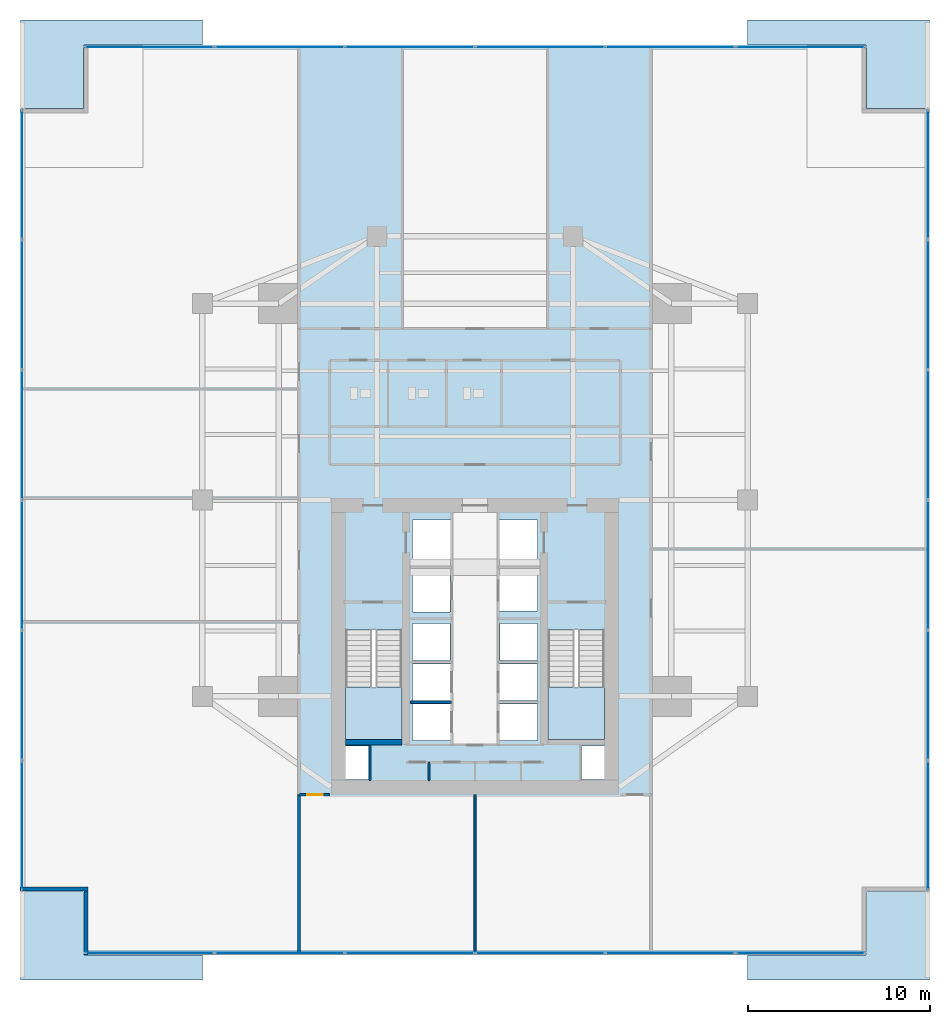
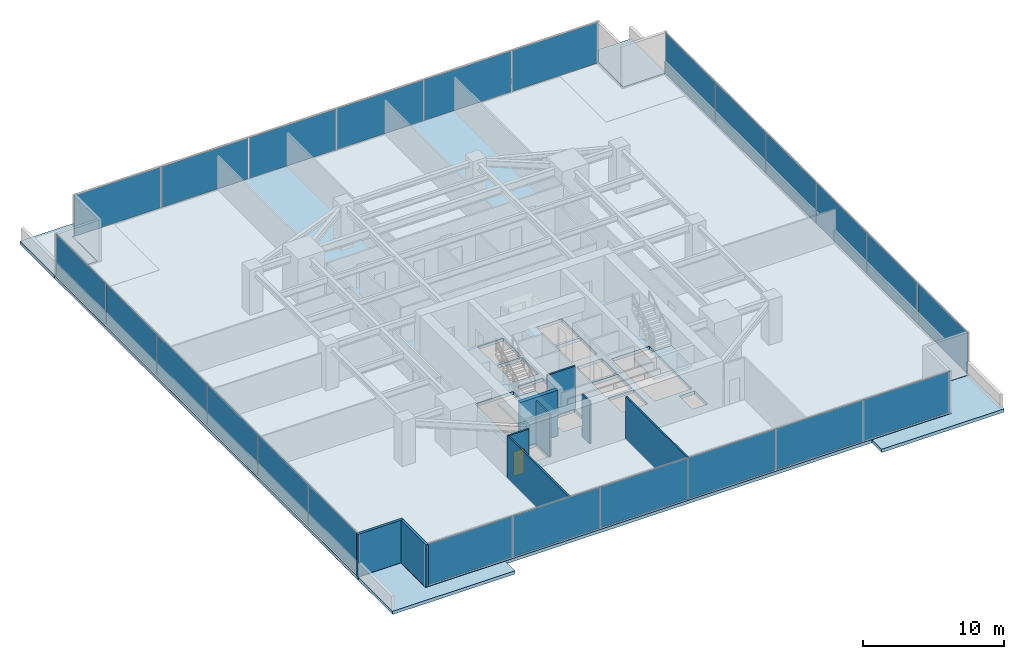
# One storey, part 24 of 30: 24 plates, 9 walls, 7 slabs, 1 door, 1 opening, 6 elements without a shape of their own.
"""IFC4 building model written with IfcOpenShell, lengths in metres."""

from ifc_helpers import new_model, si_unit, direction, frame, frame_2d, origin, origin_2d, place, context, subcontext, project, spatial, polyline, rectangle, outline, extrude, source, transform, mapped, material, layer, layer_set, type_object, type_shapes, element, fill, aggregate, save


model = new_model("IFC4")

# Units and contexts
model_context = context("Model", 3, precision=1e-05, world=origin(), true_north=direction((0.0, 1.0)))
body_context = subcontext(model_context, "Body", "Model", "MODEL_VIEW")
ifc_project = project(units=[si_unit("LENGTHUNIT", "METRE"), si_unit("AREAUNIT", "SQUARE_METRE"), si_unit("VOLUMEUNIT", "CUBIC_METRE"), si_unit("PLANEANGLEUNIT", "RADIAN"), si_unit("MASSUNIT", "GRAM", prefix="KILO")], contexts=[model_context])

# Site, building, storey
site_placement = place(None, origin())
site = spatial("IfcSite", under=ifc_project, at=site_placement, CompositionType="ELEMENT")
building_placement = place(site_placement, origin())
building = spatial("IfcBuilding", under=site, at=building_placement, Name="Krantzveldt Concourse Tower", CompositionType="ELEMENT")
storey_placement = place(building_placement, frame((0.0, 0.0, 25.0)))
storey = spatial("IfcBuildingStorey", under=building, at=storey_placement, Name="L05", CompositionType="ELEMENT", Elevation=25.0)

# Stair, slab
ifc_material_1 = material(Name="Precast concrete C40/50", Category="concrete")
stair_type = type_object("IfcStairType", Name="STR-CORE-DOGLEG", PredefinedType="HALF_TURN_STAIR", material=ifc_material_1)
stair_1_placement = place(storey_placement, origin())
stair_1 = element("IfcStair", 1, at=stair_1_placement, inside=storey, type_object=stair_type, Name="L05 Protected Escape Stair ST-1", PredefinedType="HALF_TURN_STAIR")
ifc_layer_1 = layer(ifc_material_1, 0.199951171875, Name="Precast concrete C40/50", Category="concrete")
ifc_layer_set_1 = layer_set([ifc_layer_1], Name="Precast concrete C40/50 (SL-LANDING-200)")
slab_type_1 = type_object("IfcSlabType", Name="SL-LANDING-200", PredefinedType="LANDING", material=ifc_layer_set_1)
slab_1_placement = place(storey_placement, frame((0.0, 0.0, 1.77490234375)))
slab_1 = element("IfcSlab", 2, at=slab_1_placement, type_object=slab_type_1, Name="ST-1 landing 1", PredefinedType="LANDING", context=body_context, shape_type="SweptSolid", body=[
    extrude(outline(polyline([(28.8798828125, 16.4150390625), (28.8798828125, 13.52001953125), (31.97998046875, 13.52001953125), (31.97998046875, 16.4150390625), (28.8798828125, 16.4150390625)])), origin(), (0.0, 0.0, 1.0), 0.2001953125),
])
aggregate(stair_1, [slab_1])

stair_2_placement = place(storey_placement, origin())
stair_2 = element("IfcStair", 3, at=stair_2_placement, inside=storey, type_object=stair_type, Name="L05 Protected Escape Stair ST-2", PredefinedType="HALF_TURN_STAIR")
slab_2_placement = place(storey_placement, frame((0.0, 0.0, 1.77490234375)))
slab_2 = element("IfcSlab", 4, at=slab_2_placement, type_object=slab_type_1, Name="ST-2 landing 1", PredefinedType="LANDING", context=body_context, shape_type="SweptSolid", body=[
    extrude(outline(polyline([(40.02001953125, 16.4150390625), (40.02001953125, 13.52001953125), (43.1201171875, 13.52001953125), (43.1201171875, 16.4150390625), (40.02001953125, 16.4150390625)])), origin(), (0.0, 0.0, 1.0), 0.2001953125),
])
aggregate(stair_2, [slab_2])

# Slabs
ifc_material_2 = material(Name="Concrete C40/50", Category="concrete")
ifc_layer_2 = layer(ifc_material_2, 0.280029296875, Name="Concrete C40/50", Category="concrete")
ifc_layer_set_2 = layer_set([ifc_layer_2], Name="Concrete C40/50 (SL-SL-ROOF280)")
slab_type_2 = type_object("IfcSlabType", Name="SL-SL-ROOF280", PredefinedType="ROOF", material=ifc_layer_set_2)
slab_3_placement = place(storey_placement, frame((0.0, 0.0, -0.280029296875)))
element("IfcSlab", 5, at=slab_3_placement, inside=storey, type_object=slab_type_2, Name="SL-L05-PODROOF-W1", PredefinedType="ROOF", context=body_context, shape_type="SweptSolid", body=[
    extrude(outline(polyline([(21.0, 0.300048828125), (11.0, 0.300048828125), (11.0, 5.179931640625), (14.47998046875, 5.179931640625), (14.47998046875, 1.699951171875), (14.47998046875, 1.697998046875), (14.48046875, 1.696044921875), (14.48095703125, 1.694091796875), (14.4814453125, 1.6923828125), (14.482421875, 1.690673828125), (14.4833984375, 1.68896484375), (14.484619140625, 1.687255859375), (14.48583984375, 1.685791015625), (14.4873046875, 1.6845703125), (14.48876953125, 1.683349609375), (14.490478515625, 1.682373046875), (14.492431640625, 1.681640625), (14.494140625, 1.680908203125), (14.49609375, 1.680419921875), (14.498046875, 1.68017578125), (14.5, 1.679931640625), (21.0, 1.679931640625), (21.0, 0.300048828125)])), origin(), (0.0, 0.0, 1.0), 0.280029296875),
])
slab_4_placement = place(storey_placement, frame((0.0, 0.0, -0.280029296875)))
element("IfcSlab", 6, at=slab_4_placement, inside=storey, type_object=slab_type_2, Name="SL-L05-PODROOF-W2", PredefinedType="ROOF", context=body_context, shape_type="SweptSolid", body=[
    extrude(outline(polyline([(11.0, 53.10009765625), (21.0, 53.10009765625), (21.0, 51.719970703125), (14.5, 51.719970703125), (14.498046875, 51.719970703125), (14.49609375, 51.7197265625), (14.494140625, 51.71923828125), (14.492431640625, 51.718505859375), (14.490478515625, 51.717529296875), (14.48876953125, 51.716552734375), (14.4873046875, 51.715576171875), (14.48583984375, 51.714111328125), (14.484619140625, 51.712646484375), (14.4833984375, 51.711181640625), (14.482421875, 51.70947265625), (14.4814453125, 51.707763671875), (14.48095703125, 51.705810546875), (14.48046875, 51.703857421875), (14.47998046875, 51.701904296875), (14.47998046875, 51.699951171875), (14.47998046875, 48.219970703125), (11.0, 48.219970703125), (11.0, 53.10009765625)])), origin(), (0.0, 0.0, 1.0), 0.280029296875),
])
slab_5_placement = place(storey_placement, frame((0.0, 0.0, -0.280029296875)))
element("IfcSlab", 7, at=slab_5_placement, inside=storey, type_object=slab_type_2, Name="SL-L05-PODROOF-E1", PredefinedType="ROOF", context=body_context, shape_type="SweptSolid", body=[
    extrude(outline(polyline([(61.0, 0.300048828125), (51.0, 0.300048828125), (51.0, 1.679931640625), (57.5, 1.679931640625), (57.501953125, 1.68017578125), (57.50390625, 1.680419921875), (57.505859375, 1.680908203125), (57.507568359375, 1.681640625), (57.509521484375, 1.682373046875), (57.51123046875, 1.683349609375), (57.5126953125, 1.6845703125), (57.51416015625, 1.685791015625), (57.515380859375, 1.687255859375), (57.5166015625, 1.68896484375), (57.517578125, 1.690673828125), (57.5185546875, 1.6923828125), (57.51904296875, 1.694091796875), (57.51953125, 1.696044921875), (57.52001953125, 1.697998046875), (57.52001953125, 1.699951171875), (57.52001953125, 5.179931640625), (61.0, 5.179931640625), (61.0, 0.300048828125)])), origin(), (0.0, 0.0, 1.0), 0.280029296875),
])
slab_6_placement = place(storey_placement, frame((0.0, 0.0, -0.280029296875)))
element("IfcSlab", 8, at=slab_6_placement, inside=storey, type_object=slab_type_2, Name="SL-L05-PODROOF-E2", PredefinedType="ROOF", context=body_context, shape_type="SweptSolid", body=[
    extrude(outline(polyline([(51.0, 53.10009765625), (61.0, 53.10009765625), (61.0, 48.219970703125), (57.52001953125, 48.219970703125), (57.52001953125, 51.699951171875), (57.52001953125, 51.701904296875), (57.51953125, 51.703857421875), (57.51904296875, 51.705810546875), (57.5185546875, 51.707763671875), (57.517578125, 51.70947265625), (57.5166015625, 51.711181640625), (57.515380859375, 51.712646484375), (57.51416015625, 51.714111328125), (57.5126953125, 51.715576171875), (57.51123046875, 51.716552734375), (57.509521484375, 51.717529296875), (57.507568359375, 51.718505859375), (57.505859375, 51.71923828125), (57.50390625, 51.7197265625), (57.501953125, 51.719970703125), (57.5, 51.719970703125), (51.0, 51.719970703125), (51.0, 53.10009765625)])), origin(), (0.0, 0.0, 1.0), 0.280029296875),
])
ifc_layer_3 = layer(ifc_material_2, 0.280029296875, Name="Concrete C40/50", Category="concrete")
ifc_layer_set_3 = layer_set([ifc_layer_3], Name="Concrete C40/50 (SL-SL-TWR280)")
slab_type_3 = type_object("IfcSlabType", Name="SL-SL-TWR280", PredefinedType="FLOOR", material=ifc_layer_set_3)
slab_7_placement = place(storey_placement, frame((0.0, 0.0, -0.280029296875)))
element("IfcSlab", 9, at=slab_7_placement, inside=storey, type_object=slab_type_3, Name="SL-L05-MAIN", PredefinedType="FLOOR", context=body_context, shape_type="SweptSolid", body=[
    extrude(outline(polyline([(14.5, 48.199951171875), (11.0, 48.199951171875), (11.0, 5.199951171875), (14.5, 5.199951171875), (14.5, 1.699951171875), (57.5, 1.699951171875), (57.5, 5.199951171875), (61.0, 5.199951171875), (61.0, 48.199951171875), (57.5, 48.199951171875), (57.5, 51.699951171875), (14.5, 51.699951171875), (14.5, 48.199951171875)]), holes=[polyline([(28.8798828125, 19.547607421875), (28.8798828125, 13.52001953125), (31.97998046875, 13.52001953125), (31.97998046875, 19.547607421875), (28.8798828125, 19.547607421875)]), polyline([(40.02001953125, 19.547607421875), (40.02001953125, 13.52001953125), (43.1201171875, 13.52001953125), (43.1201171875, 19.547607421875), (40.02001953125, 19.547607421875)]), polyline([(32.550048828125, 23.10009765625), (34.64990234375, 23.10009765625), (34.64990234375, 25.60009765625), (32.550048828125, 25.60009765625), (32.550048828125, 23.10009765625)]), polyline([(37.35009765625, 23.10009765625), (39.449951171875, 23.10009765625), (39.449951171875, 25.60009765625), (37.35009765625, 25.60009765625), (37.35009765625, 23.10009765625)]), polyline([(37.35009765625, 20.60009765625), (39.449951171875, 20.60009765625), (39.449951171875, 22.89990234375), (37.35009765625, 22.89990234375), (37.35009765625, 20.60009765625)]), polyline([(32.550048828125, 13.47998046875), (34.64990234375, 13.47998046875), (34.64990234375, 15.47998046875), (32.550048828125, 15.47998046875), (32.550048828125, 13.47998046875)]), polyline([(32.550048828125, 15.679931640625), (34.64990234375, 15.679931640625), (34.64990234375, 17.679931640625), (32.550048828125, 17.679931640625), (32.550048828125, 15.679931640625)]), polyline([(37.35009765625, 13.47998046875), (39.449951171875, 13.47998046875), (39.449951171875, 15.47998046875), (37.35009765625, 15.47998046875), (37.35009765625, 13.47998046875)]), polyline([(37.35009765625, 15.679931640625), (39.449951171875, 15.679931640625), (39.449951171875, 17.679931640625), (37.35009765625, 17.679931640625), (37.35009765625, 15.679931640625)]), polyline([(32.550048828125, 20.550048828125), (34.6201171875, 20.550048828125), (34.6201171875, 22.89990234375), (32.550048828125, 22.89990234375), (32.550048828125, 20.550048828125)]), polyline([(32.550048828125, 17.8798828125), (34.6201171875, 17.8798828125), (34.6201171875, 19.919921875), (32.550048828125, 19.919921875), (32.550048828125, 17.8798828125)]), polyline([(37.3798828125, 17.8798828125), (39.449951171875, 17.8798828125), (39.449951171875, 19.919921875), (37.3798828125, 19.919921875), (37.3798828125, 17.8798828125)]), polyline([(28.8798828125, 11.320068359375), (30.139892578125, 11.320068359375), (30.139892578125, 13.159912109375), (28.8798828125, 13.159912109375), (28.8798828125, 11.320068359375)]), polyline([(41.860107421875, 11.320068359375), (43.1201171875, 11.320068359375), (43.1201171875, 13.159912109375), (41.860107421875, 13.159912109375), (41.860107421875, 11.320068359375)])]), origin(), (0.0, 0.0, 1.0), 0.280029296875),
])

# Curtain wall, plates
ifc_material_3 = material(Name="Anodised aluminium 6063-T6", Category="aluminium")
curtain_wall_type = type_object("IfcCurtainWallType", Name="CW2", PredefinedType="USERDEFINED", material=ifc_material_3)
curtain_wall_1_placement = place(storey_placement, origin())
curtain_wall_1 = element("IfcCurtainWall", 10, at=curtain_wall_1_placement, inside=storey, type_object=curtain_wall_type, Name="CW-L05-F01", ObjectType="UNITISED CURTAIN WALL", PredefinedType="USERDEFINED")
ifc_material_4 = material(Name="Bronze-tinted laminated low-E IGU glass", Category="glass")
ifc_layer_4 = layer(ifc_material_4, 0.031982421875, Name="Bronze-tinted laminated low-E IGU glass", Category="glass")
ifc_layer_set_4 = layer_set([ifc_layer_4], Name="Bronze-tinted laminated low-E IGU glass (CW-GLZ-32)")
plate_type = type_object("IfcPlateType", Name="CW-GLZ-32", PredefinedType="CURTAIN_PANEL", material=ifc_layer_set_4)
shared_shape_1 = source(origin(), body_context, "Body", "SweptSolid", [
    extrude(rectangle(XDim=7.061767578125, YDim=0.031982421875, at=origin_2d()), origin(), (0.0, 0.0, 1.0), 3.530029296875),
])
plate_1_placement = place(storey_placement, frame((11.090087890625, 44.59912109375, 0.06982421875), z_axis=(0.0, 0.0, 1.0), x_axis=(0.0, -1.0, 0.0)))
plate_1 = element("IfcPlate", 11, at=plate_1_placement, type_object=plate_type, Name="CW-Z12 panel 1.1", PredefinedType="CURTAIN_PANEL", context=body_context, shape_type="MappedRepresentation", body=[
    mapped(shared_shape_1, transform((0.0, 0.0, 0.0), x_axis=(1.0, 0.0, 0.0), y_axis=(0.0, 1.0, 0.0), z_axis=(0.0, 0.0, 1.0), scale=1.0)),
])
plate_2_placement = place(storey_placement, frame((11.090087890625, 8.80078125, 0.06982421875), z_axis=(0.0, 0.0, 1.0), x_axis=(0.0, -1.0, 0.0)))
plate_2 = element("IfcPlate", 12, at=plate_2_placement, type_object=plate_type, Name="CW-Z12 panel 6.1", PredefinedType="CURTAIN_PANEL", context=body_context, shape_type="MappedRepresentation", body=[
    mapped(shared_shape_1, transform((0.0, 0.0, 0.0), x_axis=(1.0, 0.0, 0.0), y_axis=(0.0, 1.0, 0.0), z_axis=(0.0, 0.0, 1.0), scale=1.0)),
])

curtain_wall_2_placement = place(storey_placement, origin())
curtain_wall_2 = element("IfcCurtainWall", 13, at=curtain_wall_2_placement, inside=storey, type_object=curtain_wall_type, Name="CW-L05-F04", ObjectType="UNITISED CURTAIN WALL", PredefinedType="USERDEFINED")
plate_3_placement = place(storey_placement, frame((18.100830078125, 1.7900390625, 0.06982421875), z_axis=(0.0, 0.0, 1.0), x_axis=(1.0, 0.0, 0.0)))
plate_3 = element("IfcPlate", 14, at=plate_3_placement, type_object=plate_type, Name="CW-Z12 panel 1.1", PredefinedType="CURTAIN_PANEL", context=body_context, shape_type="MappedRepresentation", body=[
    mapped(shared_shape_1, transform((0.0, 0.0, 0.0), x_axis=(1.0, 0.0, 0.0), y_axis=(0.0, 1.0, 0.0), z_axis=(0.0, 0.0, 1.0), scale=1.0)),
])
plate_4_placement = place(storey_placement, frame((53.899169921875, 1.7900390625, 0.06982421875), z_axis=(0.0, 0.0, 1.0), x_axis=(1.0, 0.0, 0.0)))
plate_4 = element("IfcPlate", 15, at=plate_4_placement, type_object=plate_type, Name="CW-Z12 panel 6.1", PredefinedType="CURTAIN_PANEL", context=body_context, shape_type="MappedRepresentation", body=[
    mapped(shared_shape_1, transform((0.0, 0.0, 0.0), x_axis=(1.0, 0.0, 0.0), y_axis=(0.0, 1.0, 0.0), z_axis=(0.0, 0.0, 1.0), scale=1.0)),
])

curtain_wall_3_placement = place(storey_placement, origin())
curtain_wall_3 = element("IfcCurtainWall", 16, at=curtain_wall_3_placement, inside=storey, type_object=curtain_wall_type, Name="CW-L05-F07", ObjectType="UNITISED CURTAIN WALL", PredefinedType="USERDEFINED")
plate_5_placement = place(storey_placement, frame((60.909912109375, 8.80078125, 0.06982421875), z_axis=(0.0, 0.0, 1.0), x_axis=(0.0, 1.0, 0.0)))
plate_5 = element("IfcPlate", 17, at=plate_5_placement, type_object=plate_type, Name="CW-Z12 panel 1.1", PredefinedType="CURTAIN_PANEL", context=body_context, shape_type="MappedRepresentation", body=[
    mapped(shared_shape_1, transform((0.0, 0.0, 0.0), x_axis=(1.0, 0.0, 0.0), y_axis=(0.0, 1.0, 0.0), z_axis=(0.0, 0.0, 1.0), scale=1.0)),
])
plate_6_placement = place(storey_placement, frame((60.909912109375, 44.59912109375, 0.06982421875), z_axis=(0.0, 0.0, 1.0), x_axis=(0.0, 1.0, 0.0)))
plate_6 = element("IfcPlate", 18, at=plate_6_placement, type_object=plate_type, Name="CW-Z12 panel 6.1", PredefinedType="CURTAIN_PANEL", context=body_context, shape_type="MappedRepresentation", body=[
    mapped(shared_shape_1, transform((0.0, 0.0, 0.0), x_axis=(1.0, 0.0, 0.0), y_axis=(0.0, 1.0, 0.0), z_axis=(0.0, 0.0, 1.0), scale=1.0)),
])

curtain_wall_4_placement = place(storey_placement, origin())
curtain_wall_4 = element("IfcCurtainWall", 19, at=curtain_wall_4_placement, inside=storey, type_object=curtain_wall_type, Name="CW-L05-F10", ObjectType="UNITISED CURTAIN WALL", PredefinedType="USERDEFINED")
plate_7_placement = place(storey_placement, frame((53.899169921875, 51.610107421875, 0.06982421875), z_axis=(0.0, 0.0, 1.0), x_axis=(-1.0, 0.0, 0.0)))
plate_7 = element("IfcPlate", 20, at=plate_7_placement, type_object=plate_type, Name="CW-Z12 panel 1.1", PredefinedType="CURTAIN_PANEL", context=body_context, shape_type="MappedRepresentation", body=[
    mapped(shared_shape_1, transform((0.0, 0.0, 0.0), x_axis=(1.0, 0.0, 0.0), y_axis=(0.0, 1.0, 0.0), z_axis=(0.0, 0.0, 1.0), scale=1.0)),
])
plate_8_placement = place(storey_placement, frame((18.100830078125, 51.610107421875, 0.06982421875), z_axis=(0.0, 0.0, 1.0), x_axis=(-1.0, 0.0, 0.0)))
plate_8 = element("IfcPlate", 21, at=plate_8_placement, type_object=plate_type, Name="CW-Z12 panel 6.1", PredefinedType="CURTAIN_PANEL", context=body_context, shape_type="MappedRepresentation", body=[
    mapped(shared_shape_1, transform((0.0, 0.0, 0.0), x_axis=(1.0, 0.0, 0.0), y_axis=(0.0, 1.0, 0.0), z_axis=(0.0, 0.0, 1.0), scale=1.0)),
])

# Plate
shared_shape_2 = source(origin(), body_context, "Body", "SweptSolid", [
    extrude(rectangle(XDim=7.0966796875, YDim=0.031982421875, at=origin_2d()), origin(), (0.0, 0.0, 1.0), 3.530029296875),
])
type_shapes(plate_type, [shared_shape_1, shared_shape_2])
plate_9_placement = place(storey_placement, frame((11.090087890625, 37.449951171875, 0.06982421875), z_axis=(0.0, 0.0, 1.0), x_axis=(0.0, -1.0, 0.0)))
plate_9 = element("IfcPlate", 22, at=plate_9_placement, type_object=plate_type, Name="CW-Z12 panel 2.1", PredefinedType="CURTAIN_PANEL", context=body_context, shape_type="MappedRepresentation", body=[
    mapped(shared_shape_2, transform((0.0, 0.0, 0.0), x_axis=(1.0, 0.0, 0.0), y_axis=(0.0, 1.0, 0.0), z_axis=(0.0, 0.0, 1.0), scale=1.0)),
])

plate_10_placement = place(storey_placement, frame((11.090087890625, 30.283447265625, 0.06982421875), z_axis=(0.0, 0.0, 1.0), x_axis=(0.0, -1.0, 0.0)))
plate_10 = element("IfcPlate", 23, at=plate_10_placement, type_object=plate_type, Name="CW-Z12 panel 3.1", PredefinedType="CURTAIN_PANEL", context=body_context, shape_type="MappedRepresentation", body=[
    mapped(shared_shape_2, transform((0.0, 0.0, 0.0), x_axis=(1.0, 0.0, 0.0), y_axis=(0.0, 1.0, 0.0), z_axis=(0.0, 0.0, 1.0), scale=1.0)),
])

plate_11_placement = place(storey_placement, frame((11.090087890625, 23.11669921875, 0.06982421875), z_axis=(0.0, 0.0, 1.0), x_axis=(0.0, -1.0, 0.0)))
plate_11 = element("IfcPlate", 24, at=plate_11_placement, type_object=plate_type, Name="CW-Z12 panel 4.1", PredefinedType="CURTAIN_PANEL", context=body_context, shape_type="MappedRepresentation", body=[
    mapped(shared_shape_2, transform((0.0, 0.0, 0.0), x_axis=(1.0, 0.0, 0.0), y_axis=(0.0, 1.0, 0.0), z_axis=(0.0, 0.0, 1.0), scale=1.0)),
])

plate_12_placement = place(storey_placement, frame((11.090087890625, 15.949951171875, 0.06982421875), z_axis=(0.0, 0.0, 1.0), x_axis=(0.0, -1.0, 0.0)))
plate_12 = element("IfcPlate", 25, at=plate_12_placement, type_object=plate_type, Name="CW-Z12 panel 5.1", PredefinedType="CURTAIN_PANEL", context=body_context, shape_type="MappedRepresentation", body=[
    mapped(shared_shape_2, transform((0.0, 0.0, 0.0), x_axis=(1.0, 0.0, 0.0), y_axis=(0.0, 1.0, 0.0), z_axis=(0.0, 0.0, 1.0), scale=1.0)),
])

aggregate(curtain_wall_1, [plate_1, plate_9, plate_10, plate_11, plate_12, plate_2])

plate_13_placement = place(storey_placement, frame((25.25, 1.7900390625, 0.06982421875), z_axis=(0.0, 0.0, 1.0), x_axis=(1.0, 0.0, 0.0)))
plate_13 = element("IfcPlate", 26, at=plate_13_placement, type_object=plate_type, Name="CW-Z12 panel 2.1", PredefinedType="CURTAIN_PANEL", context=body_context, shape_type="MappedRepresentation", body=[
    mapped(shared_shape_2, transform((0.0, 0.0, 0.0), x_axis=(1.0, 0.0, 0.0), y_axis=(0.0, 1.0, 0.0), z_axis=(0.0, 0.0, 1.0), scale=1.0)),
])

plate_14_placement = place(storey_placement, frame((32.416748046875, 1.7900390625, 0.06982421875), z_axis=(0.0, 0.0, 1.0), x_axis=(1.0, 0.0, 0.0)))
plate_14 = element("IfcPlate", 27, at=plate_14_placement, type_object=plate_type, Name="CW-Z12 panel 3.1", PredefinedType="CURTAIN_PANEL", context=body_context, shape_type="MappedRepresentation", body=[
    mapped(shared_shape_2, transform((0.0, 0.0, 0.0), x_axis=(1.0, 0.0, 0.0), y_axis=(0.0, 1.0, 0.0), z_axis=(0.0, 0.0, 1.0), scale=1.0)),
])

plate_15_placement = place(storey_placement, frame((39.583251953125, 1.7900390625, 0.06982421875), z_axis=(0.0, 0.0, 1.0), x_axis=(1.0, 0.0, 0.0)))
plate_15 = element("IfcPlate", 28, at=plate_15_placement, type_object=plate_type, Name="CW-Z12 panel 4.1", PredefinedType="CURTAIN_PANEL", context=body_context, shape_type="MappedRepresentation", body=[
    mapped(shared_shape_2, transform((0.0, 0.0, 0.0), x_axis=(1.0, 0.0, 0.0), y_axis=(0.0, 1.0, 0.0), z_axis=(0.0, 0.0, 1.0), scale=1.0)),
])

plate_16_placement = place(storey_placement, frame((46.75, 1.7900390625, 0.06982421875), z_axis=(0.0, 0.0, 1.0), x_axis=(1.0, 0.0, 0.0)))
plate_16 = element("IfcPlate", 29, at=plate_16_placement, type_object=plate_type, Name="CW-Z12 panel 5.1", PredefinedType="CURTAIN_PANEL", context=body_context, shape_type="MappedRepresentation", body=[
    mapped(shared_shape_2, transform((0.0, 0.0, 0.0), x_axis=(1.0, 0.0, 0.0), y_axis=(0.0, 1.0, 0.0), z_axis=(0.0, 0.0, 1.0), scale=1.0)),
])

aggregate(curtain_wall_2, [plate_3, plate_13, plate_14, plate_15, plate_16, plate_4])

plate_17_placement = place(storey_placement, frame((60.909912109375, 15.949951171875, 0.06982421875), z_axis=(0.0, 0.0, 1.0), x_axis=(0.0, 1.0, 0.0)))
plate_17 = element("IfcPlate", 30, at=plate_17_placement, type_object=plate_type, Name="CW-Z12 panel 2.1", PredefinedType="CURTAIN_PANEL", context=body_context, shape_type="MappedRepresentation", body=[
    mapped(shared_shape_2, transform((0.0, 0.0, 0.0), x_axis=(1.0, 0.0, 0.0), y_axis=(0.0, 1.0, 0.0), z_axis=(0.0, 0.0, 1.0), scale=1.0)),
])

plate_18_placement = place(storey_placement, frame((60.909912109375, 23.11669921875, 0.06982421875), z_axis=(0.0, 0.0, 1.0), x_axis=(0.0, 1.0, 0.0)))
plate_18 = element("IfcPlate", 31, at=plate_18_placement, type_object=plate_type, Name="CW-Z12 panel 3.1", PredefinedType="CURTAIN_PANEL", context=body_context, shape_type="MappedRepresentation", body=[
    mapped(shared_shape_2, transform((0.0, 0.0, 0.0), x_axis=(1.0, 0.0, 0.0), y_axis=(0.0, 1.0, 0.0), z_axis=(0.0, 0.0, 1.0), scale=1.0)),
])

plate_19_placement = place(storey_placement, frame((60.909912109375, 30.283447265625, 0.06982421875), z_axis=(0.0, 0.0, 1.0), x_axis=(0.0, 1.0, 0.0)))
plate_19 = element("IfcPlate", 32, at=plate_19_placement, type_object=plate_type, Name="CW-Z12 panel 4.1", PredefinedType="CURTAIN_PANEL", context=body_context, shape_type="MappedRepresentation", body=[
    mapped(shared_shape_2, transform((0.0, 0.0, 0.0), x_axis=(1.0, 0.0, 0.0), y_axis=(0.0, 1.0, 0.0), z_axis=(0.0, 0.0, 1.0), scale=1.0)),
])

plate_20_placement = place(storey_placement, frame((60.909912109375, 37.449951171875, 0.06982421875), z_axis=(0.0, 0.0, 1.0), x_axis=(0.0, 1.0, 0.0)))
plate_20 = element("IfcPlate", 33, at=plate_20_placement, type_object=plate_type, Name="CW-Z12 panel 5.1", PredefinedType="CURTAIN_PANEL", context=body_context, shape_type="MappedRepresentation", body=[
    mapped(shared_shape_2, transform((0.0, 0.0, 0.0), x_axis=(1.0, 0.0, 0.0), y_axis=(0.0, 1.0, 0.0), z_axis=(0.0, 0.0, 1.0), scale=1.0)),
])

aggregate(curtain_wall_3, [plate_5, plate_17, plate_18, plate_19, plate_20, plate_6])

plate_21_placement = place(storey_placement, frame((46.75, 51.610107421875, 0.06982421875), z_axis=(0.0, 0.0, 1.0), x_axis=(-1.0, 0.0, 0.0)))
plate_21 = element("IfcPlate", 34, at=plate_21_placement, type_object=plate_type, Name="CW-Z12 panel 2.1", PredefinedType="CURTAIN_PANEL", context=body_context, shape_type="MappedRepresentation", body=[
    mapped(shared_shape_2, transform((0.0, 0.0, 0.0), x_axis=(1.0, 0.0, 0.0), y_axis=(0.0, 1.0, 0.0), z_axis=(0.0, 0.0, 1.0), scale=1.0)),
])

plate_22_placement = place(storey_placement, frame((39.583251953125, 51.610107421875, 0.06982421875), z_axis=(0.0, 0.0, 1.0), x_axis=(-1.0, 0.0, 0.0)))
plate_22 = element("IfcPlate", 35, at=plate_22_placement, type_object=plate_type, Name="CW-Z12 panel 3.1", PredefinedType="CURTAIN_PANEL", context=body_context, shape_type="MappedRepresentation", body=[
    mapped(shared_shape_2, transform((0.0, 0.0, 0.0), x_axis=(1.0, 0.0, 0.0), y_axis=(0.0, 1.0, 0.0), z_axis=(0.0, 0.0, 1.0), scale=1.0)),
])

plate_23_placement = place(storey_placement, frame((32.416748046875, 51.610107421875, 0.06982421875), z_axis=(0.0, 0.0, 1.0), x_axis=(-1.0, 0.0, 0.0)))
plate_23 = element("IfcPlate", 36, at=plate_23_placement, type_object=plate_type, Name="CW-Z12 panel 4.1", PredefinedType="CURTAIN_PANEL", context=body_context, shape_type="MappedRepresentation", body=[
    mapped(shared_shape_2, transform((0.0, 0.0, 0.0), x_axis=(1.0, 0.0, 0.0), y_axis=(0.0, 1.0, 0.0), z_axis=(0.0, 0.0, 1.0), scale=1.0)),
])

plate_24_placement = place(storey_placement, frame((25.25, 51.610107421875, 0.06982421875), z_axis=(0.0, 0.0, 1.0), x_axis=(-1.0, 0.0, 0.0)))
plate_24 = element("IfcPlate", 37, at=plate_24_placement, type_object=plate_type, Name="CW-Z12 panel 5.1", PredefinedType="CURTAIN_PANEL", context=body_context, shape_type="MappedRepresentation", body=[
    mapped(shared_shape_2, transform((0.0, 0.0, 0.0), x_axis=(1.0, 0.0, 0.0), y_axis=(0.0, 1.0, 0.0), z_axis=(0.0, 0.0, 1.0), scale=1.0)),
])

aggregate(curtain_wall_4, [plate_7, plate_21, plate_22, plate_23, plate_24, plate_8])

# Walls
ifc_layer_5 = layer(ifc_material_3, 0.219970703125, Name="Anodised aluminium 6063-T6", Category="aluminium")
ifc_layer_set_5 = layer_set([ifc_layer_5], Name="Anodised aluminium 6063-T6 (WL-EXT-NOTCH220)")
wall_type_1 = type_object("IfcWallType", Name="WL-EXT-NOTCH220", PredefinedType="ELEMENTEDWALL", material=ifc_layer_set_5)
wall_1_placement = place(storey_placement, frame((10.97509765625, 5.31005859375, 0.0), z_axis=(0.0, 0.0, 1.0), x_axis=(1.0, 0.0, 0.0)))
element("IfcWall", 38, at=wall_1_placement, inside=storey, type_object=wall_type_1, Name="EW-L05-NCH02", PredefinedType="ELEMENTEDWALL", context=body_context, shape_type="SweptSolid", body=[
    extrude(rectangle(XDim=3.744873046875, YDim=0.219970703125, at=frame_2d((1.87255859375, 0.0))), origin(), (0.0, 0.0, 1.0), 3.669921875),
])
wall_2_placement = place(storey_placement, frame((14.610107421875, 5.199951171875, 0.0), z_axis=(0.0, 0.0, 1.0), x_axis=(0.0, -1.0, 0.0)))
element("IfcWall", 39, at=wall_2_placement, inside=storey, type_object=wall_type_1, Name="EW-L05-NCH03", PredefinedType="ELEMENTEDWALL", context=body_context, shape_type="SweptSolid", body=[
    extrude(rectangle(XDim=3.52490234375, YDim=0.219970703125, at=frame_2d((1.762451171875, 0.0))), origin(), (0.0, 0.0, 1.0), 3.669921875),
])
ifc_material_5 = material(Name="Fire-rated gypsum plasterboard on steel stud", Category="steel")
ifc_layer_6 = layer(ifc_material_5, 0.1201171875, Name="Fire-rated gypsum plasterboard on steel stud", Category="steel")
ifc_layer_set_6 = layer_set([ifc_layer_6], Name="Fire-rated gypsum plasterboard on steel stud (WL-PART-120)")
wall_type_2 = type_object("IfcWallType", Name="WL-PART-120", PredefinedType="PARTITIONING", material=ifc_layer_set_6)
wall_3_placement = place(storey_placement, frame((33.469970703125, 11.25, 0.0), z_axis=(0.0, 0.0, 1.0), x_axis=(0.0, 1.0, 0.0)))
element("IfcWall", 40, at=wall_3_placement, inside=storey, type_object=wall_type_2, Name="WP-L05-CSD-V1", PredefinedType="PARTITIONING", context=body_context, shape_type="SweptSolid", body=[
    extrude(rectangle(XDim=1.030029296875, YDim=0.1201171875, at=frame_2d((0.51513671875, 0.0))), origin(), (0.0, 0.0, 1.0), 3.669921875),
])
wall_4_placement = place(storey_placement, frame((36.0, 1.7900390625, 0.0), z_axis=(0.0, 0.0, 1.0), x_axis=(0.0, 1.0, 0.0)))
element("IfcWall", 41, at=wall_4_placement, inside=storey, type_object=wall_type_2, Name="WP-L05-SMD", PredefinedType="PARTITIONING", context=body_context, shape_type="SweptSolid", body=[
    extrude(rectangle(XDim=8.7099609375, YDim=0.1201171875, at=frame_2d((4.35498046875, 0.0))), origin(), (0.0, 0.0, 1.0), 3.669921875),
])

# Wall, opening, door
ifc_layer_7 = layer(ifc_material_5, 0.139892578125, Name="Fire-rated gypsum plasterboard on steel stud", Category="steel")
ifc_layer_set_7 = layer_set([ifc_layer_7], Name="Fire-rated gypsum plasterboard on steel stud (WL-PART-140)")
wall_type_3 = type_object("IfcWallType", Name="WL-PART-140", PredefinedType="PARTITIONING", material=ifc_layer_set_7)
wall_5_placement = place(storey_placement, frame((26.320068359375, 10.5, 0.0), z_axis=(0.0, 0.0, 1.0), x_axis=(1.0, 0.0, 0.0)))
wall_5 = element("IfcWall", 42, at=wall_5_placement, inside=storey, type_object=wall_type_3, Name="WP-L05-CWBOT", PredefinedType="PARTITIONING", context=body_context, shape_type="SweptSolid", body=[
    extrude(rectangle(XDim=1.679931640625, YDim=0.139892578125, at=frame_2d((0.83984375, 0.0))), origin(), (0.0, 0.0, 1.0), 3.669921875),
])
opening_placement = place(wall_5_placement, frame((0.445068359375, 0.0, 0.0)))
opening = element("IfcOpeningElement", 43, at=opening_placement, cuts=wall_5, Name="Opening D-IN085", PredefinedType="OPENING", context=body_context, shape_type="SweptSolid", body=[
    extrude(rectangle(XDim=0.85009765625, YDim=2.10009765625, at=frame_2d((0.425048828125, 1.050048828125))), frame((0.0, 0.080078125, 0.0), z_axis=(0.0, -1.0, 0.0), x_axis=(1.0, 0.0, 0.0)), (0.0, 0.0, 1.0), 0.159912109375),
])
ifc_material_6 = material(Name="Hardwood timber", Category="wood")
door_type = type_object("IfcDoorType", Name="DR-INT-850", OperationType="SINGLE_SWING_LEFT", PredefinedType="DOOR", material=ifc_material_6)
door_placement = place(opening_placement, origin())
door = element("IfcDoor", 44, at=door_placement, inside=storey, type_object=door_type, Name="DR-L05-SR1", OperationType="SINGLE_SWING_LEFT", OverallHeight=2.10009765625, OverallWidth=0.85009765625, PredefinedType="DOOR", context=body_context, shape_type="SweptSolid", body=[
    extrude(rectangle(XDim=0.85009765625, YDim=2.10009765625, at=frame_2d((0.425048828125, 1.050048828125))), frame((0.0, 0.02490234375, 0.0), z_axis=(0.0, -1.0, 0.0), x_axis=(1.0, 0.0, 0.0)), (0.0, 0.0, 1.0), 0.050048828125),
])
fill(opening, door)

# Walls
wall_6_placement = place(storey_placement, frame((26.320068359375, 1.7900390625, 0.0), z_axis=(0.0, 0.0, 1.0), x_axis=(0.0, 1.0, 0.0)))
element("IfcWall", 45, at=wall_6_placement, inside=storey, type_object=wall_type_3, Name="WP-L05-SWL", PredefinedType="PARTITIONING", context=body_context, shape_type="SweptSolid", body=[
    extrude(rectangle(XDim=8.7099609375, YDim=0.139892578125, at=frame_2d((4.35498046875, 0.0))), origin(), (0.0, 0.0, 1.0), 3.669921875),
])
ifc_layer_8 = layer(ifc_material_5, 0.139892578125, Name="Fire-rated gypsum plasterboard on steel stud", Category="steel")
ifc_layer_set_8 = layer_set([ifc_layer_8], Name="Fire-rated gypsum plasterboard on steel stud (WL-PART-FR140)")
wall_type_4 = type_object("IfcWallType", Name="WL-PART-FR140", PredefinedType="PARTITIONING", material=ifc_layer_set_8)
wall_7_placement = place(storey_placement, frame((32.449951171875, 15.580078125, 0.0), z_axis=(0.0, 0.0, 1.0), x_axis=(1.0, 0.0, 0.0)))
element("IfcWall", 46, at=wall_7_placement, inside=storey, type_object=wall_type_4, Name="WP-L05-DIVW1", PredefinedType="PARTITIONING", context=body_context, shape_type="SweptSolid", body=[
    extrude(rectangle(XDim=2.27001953125, YDim=0.139892578125, at=frame_2d((1.135009765625, 0.0))), origin(), (0.0, 0.0, 1.0), 3.669921875),
])
wall_8_placement = place(storey_placement, frame((30.219970703125, 11.25, 0.0), z_axis=(0.0, 0.0, 1.0), x_axis=(0.0, 1.0, 0.0)))
element("IfcWall", 47, at=wall_8_placement, inside=storey, type_object=wall_type_4, Name="WP-L05-RSW", PredefinedType="PARTITIONING", context=body_context, shape_type="SweptSolid", body=[
    extrude(rectangle(XDim=1.969970703125, YDim=0.1201171875, at=frame_2d((0.98486328125, 0.0))), origin(), (0.0, 0.0, 1.0), 3.669921875),
])
ifc_material_7 = material(Name="Concrete C50/60", Category="concrete")
ifc_layer_9 = layer(ifc_material_7, 0.300048828125, Name="Concrete C50/60", Category="concrete")
ifc_layer_set_9 = layer_set([ifc_layer_9], Name="Concrete C50/60 (WL-SHEAR-300)")
wall_type_5 = type_object("IfcWallType", Name="WL-SHEAR-300", PredefinedType="SHEAR", material=ifc_layer_set_9)
wall_9_placement = place(storey_placement, frame((28.8798828125, 13.3701171875, 0.0), z_axis=(0.0, 0.0, 1.0), x_axis=(1.0, 0.0, 0.0)))
element("IfcWall", 48, at=wall_9_placement, inside=storey, type_object=wall_type_5, Name="CW-L05-ST1S", PredefinedType="SHEAR", context=body_context, shape_type="SweptSolid", body=[
    extrude(rectangle(XDim=3.10009765625, YDim=0.300048828125, at=frame_2d((1.550048828125, 0.0))), origin(), (0.0, 0.0, 1.0), 3.949951171875),
])

save(model, "model.ifc")
